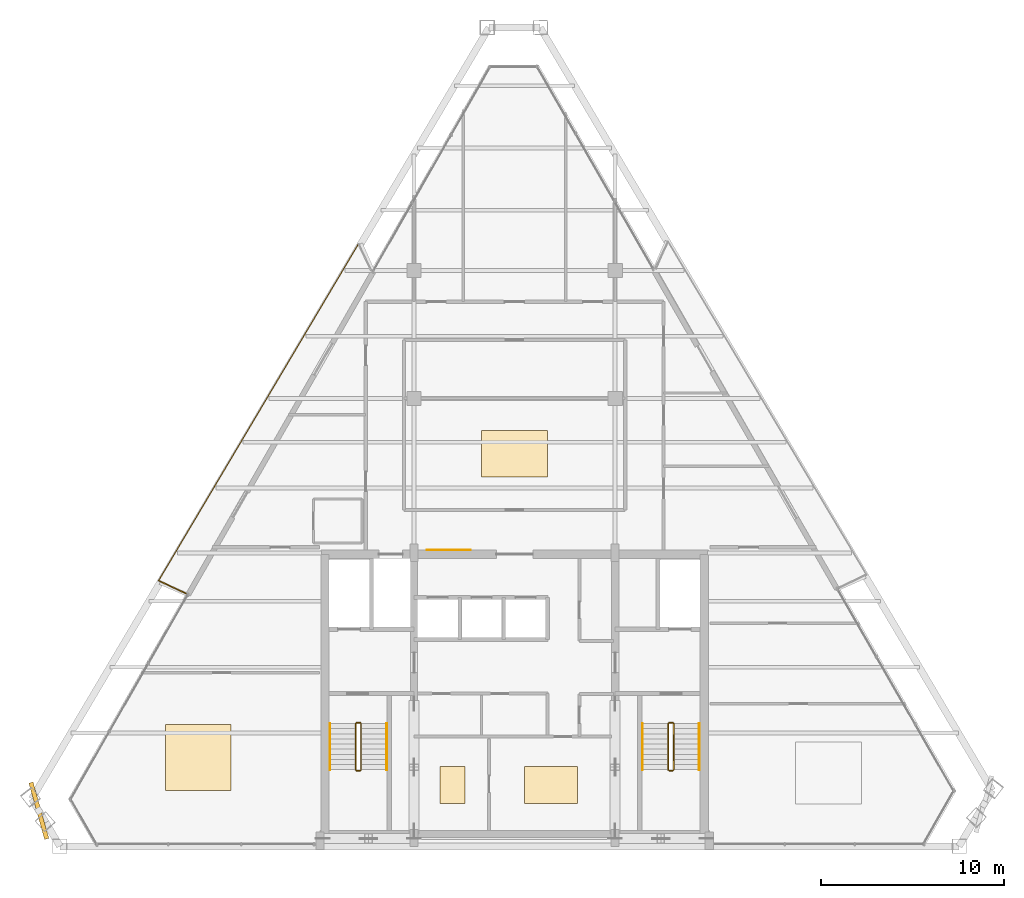
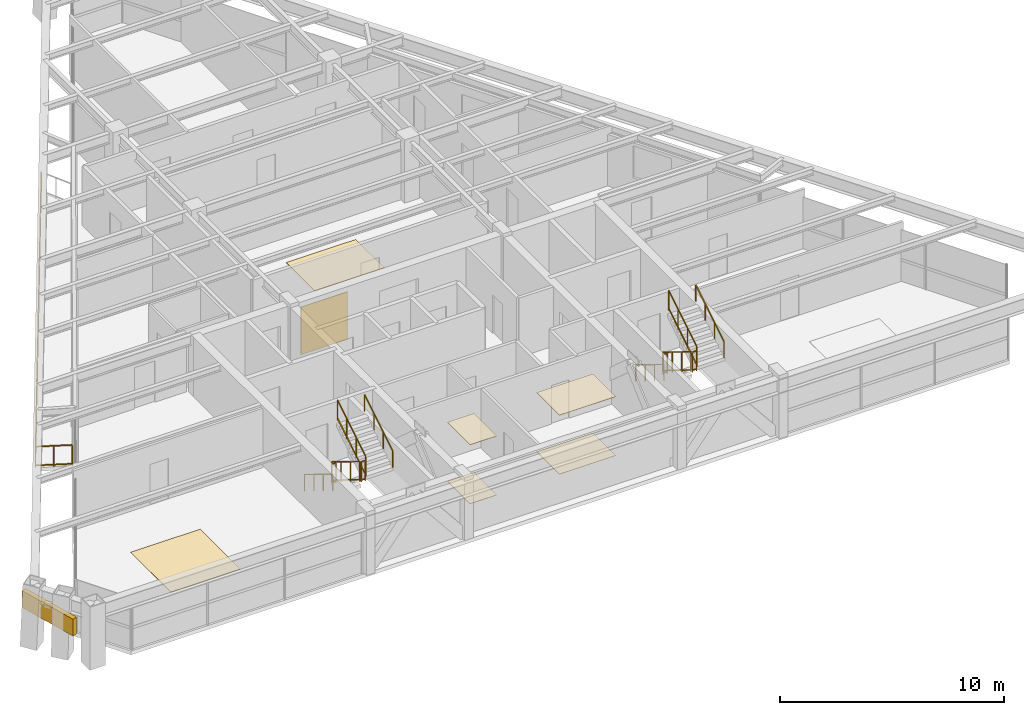
# One storey, part 12 of 13: 14 railings, 7 coverings, 1 shading device.
"""IFC4 building model written with IfcOpenShell, lengths in metres."""

from ifc_helpers import new_model, si_unit, direction, frame, origin, origin_2d, place, context, subcontext, project, spatial, rectangle, extrude, source, transform, mapped, material, layer, layer_set, type_object, type_shapes, element, save


model = new_model("IFC4")

# Units and contexts
model_context = context("Model", 3, precision=1e-05, world=origin(), true_north=direction((0.0, 1.0)))
body_context = subcontext(model_context, "Body", "Model", "MODEL_VIEW")
ifc_project = project(units=[si_unit("LENGTHUNIT", "METRE"), si_unit("AREAUNIT", "SQUARE_METRE"), si_unit("VOLUMEUNIT", "CUBIC_METRE"), si_unit("PLANEANGLEUNIT", "RADIAN"), si_unit("MASSUNIT", "GRAM", prefix="KILO")], contexts=[model_context])

# Site, building, storey
site_placement = place(None, origin())
site = spatial("IfcSite", under=ifc_project, at=site_placement, CompositionType="ELEMENT")
building_placement = place(site_placement, origin())
building = spatial("IfcBuilding", under=site, at=building_placement, Name="Varnakhor Terracotta Tower", CompositionType="ELEMENT")
storey_placement = place(building_placement, frame((0.0, 0.0, 297.14990234375)))
storey = spatial("IfcBuildingStorey", under=building, at=storey_placement, Name="L78", CompositionType="ELEMENT", Elevation=297.14990234375)

# Railings
ifc_material_1 = material(Name="Stainless Steel & Laminated Glass Guardrail", Category="steel")
railing_type_1 = type_object("IfcRailingType", Name="RLG-LOGGIA-GUARD-1150", PredefinedType="GUARDRAIL", material=ifc_material_1)
railing_1_placement = place(storey_placement, frame((-17.978515625, 13.829345703125, 0.0)))
element("IfcRailing", 1, at=railing_1_placement, inside=storey, type_object=railing_type_1, Name="L78 W Loggia Glass Guard 1", PredefinedType="GUARDRAIL", context=body_context, shape_type="SweptSolid", body=[
    extrude(rectangle(XDim=0.048095703125, YDim=0.048095703125, at=origin_2d()), frame((0.0, 0.0, 1.1259765625), z_axis=(-0.903321912516, 0.428963311215, 0.0), x_axis=(-0.428963311215, -0.903321912516, 0.0)), (0.0, 0.0, 1.0), 1.651123046875),
    extrude(rectangle(XDim=0.048095703125, YDim=0.048095703125, at=origin_2d()), frame((0.0, 0.0, 0.10009765625), z_axis=(-0.903321912516, 0.428963311215, 0.0), x_axis=(-0.428963311215, -0.903321912516, 0.0)), (0.0, 0.0, 1.0), 1.651123046875),
    extrude(rectangle(XDim=0.0419921875, YDim=0.0419921875, at=origin_2d()), origin(), (0.0, 0.0, 1.0), 1.101806640625),
    extrude(rectangle(XDim=0.0419921875, YDim=0.0419921875, at=origin_2d()), frame((-0.74560546875, 0.35400390625, 0.0)), (0.0, 0.0, 1.0), 1.101806640625),
    extrude(rectangle(XDim=0.0419921875, YDim=0.0419921875, at=origin_2d()), frame((-1.491455078125, 0.708251953125, 0.0)), (0.0, 0.0, 1.0), 1.101806640625),
])
railing_2_placement = place(storey_placement, frame((-19.469970703125, 14.53759765625, 0.0)))
element("IfcRailing", 2, at=railing_2_placement, inside=storey, type_object=railing_type_1, Name="L78 W Loggia Glass Guard 2", PredefinedType="GUARDRAIL", context=body_context, shape_type="SweptSolid", body=[
    extrude(rectangle(XDim=0.048095703125, YDim=0.048095703125, at=origin_2d()), frame((0.0, 0.0, 1.1259765625), z_axis=(0.510293242021, 0.860000469272, 0.0), x_axis=(-0.860000469272, 0.510293242021, 0.0)), (0.0, 0.0, 1.0), 21.4150390625),
    extrude(rectangle(XDim=0.048095703125, YDim=0.048095703125, at=origin_2d()), frame((0.0, 0.0, 0.10009765625), z_axis=(0.510293242021, 0.860000469272, 0.0), x_axis=(-0.860000469272, 0.510293242021, 0.0)), (0.0, 0.0, 1.0), 21.4150390625),
    extrude(rectangle(XDim=0.0419921875, YDim=0.0419921875, at=origin_2d()), origin(), (0.0, 0.0, 1.0), 1.101806640625),
    extrude(rectangle(XDim=0.0419921875, YDim=0.0419921875, at=origin_2d()), frame((0.68310546875, 1.151123046875, 0.0)), (0.0, 0.0, 1.0), 1.101806640625),
    extrude(rectangle(XDim=0.0419921875, YDim=0.0419921875, at=origin_2d()), frame((1.365966796875, 2.30224609375, 0.0)), (0.0, 0.0, 1.0), 1.101806640625),
    extrude(rectangle(XDim=0.0419921875, YDim=0.0419921875, at=origin_2d()), frame((2.049072265625, 3.453125, 0.0)), (0.0, 0.0, 1.0), 1.101806640625),
    extrude(rectangle(XDim=0.0419921875, YDim=0.0419921875, at=origin_2d()), frame((2.73193359375, 4.604248046875, 0.0)), (0.0, 0.0, 1.0), 1.101806640625),
    extrude(rectangle(XDim=0.0419921875, YDim=0.0419921875, at=origin_2d()), frame((3.4150390625, 5.75537109375, 0.0)), (0.0, 0.0, 1.0), 1.101806640625),
    extrude(rectangle(XDim=0.0419921875, YDim=0.0419921875, at=origin_2d()), frame((4.097900390625, 6.90625, 0.0)), (0.0, 0.0, 1.0), 1.101806640625),
    extrude(rectangle(XDim=0.0419921875, YDim=0.0419921875, at=origin_2d()), frame((4.781005859375, 8.057373046875, 0.0)), (0.0, 0.0, 1.0), 1.101806640625),
    extrude(rectangle(XDim=0.0419921875, YDim=0.0419921875, at=origin_2d()), frame((5.4638671875, 9.20849609375, 0.0)), (0.0, 0.0, 1.0), 1.101806640625),
    extrude(rectangle(XDim=0.0419921875, YDim=0.0419921875, at=origin_2d()), frame((6.14697265625, 10.359619140625, 0.0)), (0.0, 0.0, 1.0), 1.101806640625),
    extrude(rectangle(XDim=0.0419921875, YDim=0.0419921875, at=origin_2d()), frame((6.830078125, 11.5107421875, 0.0)), (0.0, 0.0, 1.0), 1.101806640625),
    extrude(rectangle(XDim=0.0419921875, YDim=0.0419921875, at=origin_2d()), frame((7.512939453125, 12.66162109375, 0.0)), (0.0, 0.0, 1.0), 1.101806640625),
    extrude(rectangle(XDim=0.0419921875, YDim=0.0419921875, at=origin_2d()), frame((8.196044921875, 13.812744140625, 0.0)), (0.0, 0.0, 1.0), 1.101806640625),
    extrude(rectangle(XDim=0.0419921875, YDim=0.0419921875, at=origin_2d()), frame((8.87890625, 14.9638671875, 0.0)), (0.0, 0.0, 1.0), 1.101806640625),
    extrude(rectangle(XDim=0.0419921875, YDim=0.0419921875, at=origin_2d()), frame((9.56201171875, 16.11474609375, 0.0)), (0.0, 0.0, 1.0), 1.101806640625),
    extrude(rectangle(XDim=0.0419921875, YDim=0.0419921875, at=origin_2d()), frame((10.244873046875, 17.265869140625, 0.0)), (0.0, 0.0, 1.0), 1.101806640625),
    extrude(rectangle(XDim=0.0419921875, YDim=0.0419921875, at=origin_2d()), frame((10.927978515625, 18.4169921875, 0.0)), (0.0, 0.0, 1.0), 1.101806640625),
])
ifc_material_2 = material(Name="Painted Steel Stairwell Guardrail", Category="steel")
railing_type_2 = type_object("IfcRailingType", Name="RLG-STAIR-GUARD-1120", PredefinedType="GUARDRAIL", material=ifc_material_2)
railing_3_placement = place(storey_placement, frame((-8.699951171875, 6.7099609375, 0.172607421875)))
element("IfcRailing", 3, at=railing_3_placement, inside=storey, type_object=railing_type_2, Name="L78 ST-1 stair guard 1", PredefinedType="GUARDRAIL", context=body_context, shape_type="SweptSolid", body=[
    extrude(rectangle(XDim=0.048095703125, YDim=0.048095703125, at=origin_2d()), frame((0.0, 0.0, 1.09619140625), z_axis=(0.0, -0.851400495292, 0.524516154772), x_axis=(1.0, 0.0, 0.0)), (0.0, 0.0, 1.0), 2.9599609375),
    extrude(rectangle(XDim=0.048095703125, YDim=0.048095703125, at=origin_2d()), frame((0.0, 0.0, 0.10009765625), z_axis=(0.0, -0.851400495292, 0.524516154772), x_axis=(1.0, 0.0, 0.0)), (0.0, 0.0, 1.0), 2.9599609375),
    extrude(rectangle(XDim=0.0419921875, YDim=0.0419921875, at=origin_2d()), origin(), (0.0, 0.0, 1.0), 1.072021484375),
    extrude(rectangle(XDim=0.0419921875, YDim=0.0419921875, at=origin_2d()), frame((0.0, -0.840087890625, 0.517578125)), (0.0, 0.0, 1.0), 1.072021484375),
    extrude(rectangle(XDim=0.0419921875, YDim=0.0419921875, at=origin_2d()), frame((0.0, -1.679931640625, 1.034912109375)), (0.0, 0.0, 1.0), 1.072021484375),
    extrude(rectangle(XDim=0.0419921875, YDim=0.0419921875, at=origin_2d()), frame((0.0, -2.52001953125, 1.552490234375)), (0.0, 0.0, 1.0), 1.072021484375),
])
railing_4_placement = place(storey_placement, frame((-8.64990234375, 4.139892578125, 1.72509765625)))
element("IfcRailing", 4, at=railing_4_placement, inside=storey, type_object=railing_type_2, Name="L78 ST-1 stair guard 2", PredefinedType="GUARDRAIL", context=body_context, shape_type="SweptSolid", body=[
    extrude(rectangle(XDim=0.048095703125, YDim=0.048095703125, at=origin_2d()), frame((0.0, 0.0, 1.09619140625), z_axis=(1.0, 0.0, 0.0), x_axis=(0.0, 1.0, 0.0)), (0.0, 0.0, 1.0), 0.199951171875),
    extrude(rectangle(XDim=0.048095703125, YDim=0.048095703125, at=origin_2d()), frame((0.0, 0.0, 0.10009765625), z_axis=(1.0, 0.0, 0.0), x_axis=(0.0, 1.0, 0.0)), (0.0, 0.0, 1.0), 0.199951171875),
    extrude(rectangle(XDim=0.0419921875, YDim=0.0419921875, at=origin_2d()), origin(), (0.0, 0.0, 1.0), 1.072021484375),
    extrude(rectangle(XDim=0.0419921875, YDim=0.0419921875, at=origin_2d()), frame((0.199951171875, 0.0, 0.0)), (0.0, 0.0, 1.0), 1.072021484375),
])
railing_5_placement = place(storey_placement, frame((-8.39990234375, 4.18994140625, 1.897705078125)))
element("IfcRailing", 5, at=railing_5_placement, inside=storey, type_object=railing_type_2, Name="L78 ST-1 stair guard 3", PredefinedType="GUARDRAIL", context=body_context, shape_type="SweptSolid", body=[
    extrude(rectangle(XDim=0.048095703125, YDim=0.048095703125, at=origin_2d()), frame((0.0, 0.0, 1.09619140625), z_axis=(0.0, 0.851400495292, 0.524516154772), x_axis=(-1.0, 0.0, 0.0)), (0.0, 0.0, 1.0), 2.9599609375),
    extrude(rectangle(XDim=0.048095703125, YDim=0.048095703125, at=origin_2d()), frame((0.0, 0.0, 0.10009765625), z_axis=(0.0, 0.851400495292, 0.524516154772), x_axis=(-1.0, 0.0, 0.0)), (0.0, 0.0, 1.0), 2.9599609375),
    extrude(rectangle(XDim=0.0419921875, YDim=0.0419921875, at=origin_2d()), origin(), (0.0, 0.0, 1.0), 1.072021484375),
    extrude(rectangle(XDim=0.0419921875, YDim=0.0419921875, at=origin_2d()), frame((0.0, 0.840087890625, 0.517578125)), (0.0, 0.0, 1.0), 1.072021484375),
    extrude(rectangle(XDim=0.0419921875, YDim=0.0419921875, at=origin_2d()), frame((0.0, 1.679931640625, 1.034912109375)), (0.0, 0.0, 1.0), 1.072021484375),
    extrude(rectangle(XDim=0.0419921875, YDim=0.0419921875, at=origin_2d()), frame((0.0, 2.52001953125, 1.552490234375)), (0.0, 0.0, 1.0), 1.072021484375),
])
railing_6_placement = place(storey_placement, frame((-8.64990234375, 6.760009765625, 0.0)))
element("IfcRailing", 6, at=railing_6_placement, inside=storey, type_object=railing_type_2, Name="L78 ST-1 stair guard 4", PredefinedType="GUARDRAIL", context=body_context, shape_type="SweptSolid", body=[
    extrude(rectangle(XDim=0.048095703125, YDim=0.048095703125, at=origin_2d()), frame((0.0, 0.0, 1.09619140625), z_axis=(1.0, 0.0, 0.0), x_axis=(0.0, 1.0, 0.0)), (0.0, 0.0, 1.0), 0.199951171875),
    extrude(rectangle(XDim=0.048095703125, YDim=0.048095703125, at=origin_2d()), frame((0.0, 0.0, 0.10009765625), z_axis=(1.0, 0.0, 0.0), x_axis=(0.0, 1.0, 0.0)), (0.0, 0.0, 1.0), 0.199951171875),
    extrude(rectangle(XDim=0.0419921875, YDim=0.0419921875, at=origin_2d()), origin(), (0.0, 0.0, 1.0), 1.072021484375),
    extrude(rectangle(XDim=0.0419921875, YDim=0.0419921875, at=origin_2d()), frame((0.199951171875, 0.0, 0.0)), (0.0, 0.0, 1.0), 1.072021484375),
])
railing_7_placement = place(storey_placement, frame((8.39990234375, 6.7099609375, 0.172607421875)))
element("IfcRailing", 7, at=railing_7_placement, inside=storey, type_object=railing_type_2, Name="L78 ST-2 stair guard 1", PredefinedType="GUARDRAIL", context=body_context, shape_type="SweptSolid", body=[
    extrude(rectangle(XDim=0.048095703125, YDim=0.048095703125, at=origin_2d()), frame((0.0, 0.0, 1.09619140625), z_axis=(0.0, -0.851400495292, 0.524516154772), x_axis=(1.0, 0.0, 0.0)), (0.0, 0.0, 1.0), 2.9599609375),
    extrude(rectangle(XDim=0.048095703125, YDim=0.048095703125, at=origin_2d()), frame((0.0, 0.0, 0.10009765625), z_axis=(0.0, -0.851400495292, 0.524516154772), x_axis=(1.0, 0.0, 0.0)), (0.0, 0.0, 1.0), 2.9599609375),
    extrude(rectangle(XDim=0.0419921875, YDim=0.0419921875, at=origin_2d()), origin(), (0.0, 0.0, 1.0), 1.072021484375),
    extrude(rectangle(XDim=0.0419921875, YDim=0.0419921875, at=origin_2d()), frame((0.0, -0.840087890625, 0.517578125)), (0.0, 0.0, 1.0), 1.072021484375),
    extrude(rectangle(XDim=0.0419921875, YDim=0.0419921875, at=origin_2d()), frame((0.0, -1.679931640625, 1.034912109375)), (0.0, 0.0, 1.0), 1.072021484375),
    extrude(rectangle(XDim=0.0419921875, YDim=0.0419921875, at=origin_2d()), frame((0.0, -2.52001953125, 1.552490234375)), (0.0, 0.0, 1.0), 1.072021484375),
])
railing_8_placement = place(storey_placement, frame((8.449951171875, 4.139892578125, 1.72509765625)))
element("IfcRailing", 8, at=railing_8_placement, inside=storey, type_object=railing_type_2, Name="L78 ST-2 stair guard 2", PredefinedType="GUARDRAIL", context=body_context, shape_type="SweptSolid", body=[
    extrude(rectangle(XDim=0.048095703125, YDim=0.048095703125, at=origin_2d()), frame((0.0, 0.0, 1.09619140625), z_axis=(1.0, 0.0, 0.0), x_axis=(0.0, 1.0, 0.0)), (0.0, 0.0, 1.0), 0.199951171875),
    extrude(rectangle(XDim=0.048095703125, YDim=0.048095703125, at=origin_2d()), frame((0.0, 0.0, 0.10009765625), z_axis=(1.0, 0.0, 0.0), x_axis=(0.0, 1.0, 0.0)), (0.0, 0.0, 1.0), 0.199951171875),
    extrude(rectangle(XDim=0.0419921875, YDim=0.0419921875, at=origin_2d()), origin(), (0.0, 0.0, 1.0), 1.072021484375),
    extrude(rectangle(XDim=0.0419921875, YDim=0.0419921875, at=origin_2d()), frame((0.199951171875, 0.0, 0.0)), (0.0, 0.0, 1.0), 1.072021484375),
])
railing_9_placement = place(storey_placement, frame((8.699951171875, 4.18994140625, 1.897705078125)))
element("IfcRailing", 9, at=railing_9_placement, inside=storey, type_object=railing_type_2, Name="L78 ST-2 stair guard 3", PredefinedType="GUARDRAIL", context=body_context, shape_type="SweptSolid", body=[
    extrude(rectangle(XDim=0.048095703125, YDim=0.048095703125, at=origin_2d()), frame((0.0, 0.0, 1.09619140625), z_axis=(0.0, 0.851400495292, 0.524516154772), x_axis=(-1.0, 0.0, 0.0)), (0.0, 0.0, 1.0), 2.9599609375),
    extrude(rectangle(XDim=0.048095703125, YDim=0.048095703125, at=origin_2d()), frame((0.0, 0.0, 0.10009765625), z_axis=(0.0, 0.851400495292, 0.524516154772), x_axis=(-1.0, 0.0, 0.0)), (0.0, 0.0, 1.0), 2.9599609375),
    extrude(rectangle(XDim=0.0419921875, YDim=0.0419921875, at=origin_2d()), origin(), (0.0, 0.0, 1.0), 1.072021484375),
    extrude(rectangle(XDim=0.0419921875, YDim=0.0419921875, at=origin_2d()), frame((0.0, 0.840087890625, 0.517578125)), (0.0, 0.0, 1.0), 1.072021484375),
    extrude(rectangle(XDim=0.0419921875, YDim=0.0419921875, at=origin_2d()), frame((0.0, 1.679931640625, 1.034912109375)), (0.0, 0.0, 1.0), 1.072021484375),
    extrude(rectangle(XDim=0.0419921875, YDim=0.0419921875, at=origin_2d()), frame((0.0, 2.52001953125, 1.552490234375)), (0.0, 0.0, 1.0), 1.072021484375),
])
railing_10_placement = place(storey_placement, frame((8.449951171875, 6.760009765625, 0.0)))
element("IfcRailing", 10, at=railing_10_placement, inside=storey, type_object=railing_type_2, Name="L78 ST-2 stair guard 4", PredefinedType="GUARDRAIL", context=body_context, shape_type="SweptSolid", body=[
    extrude(rectangle(XDim=0.048095703125, YDim=0.048095703125, at=origin_2d()), frame((0.0, 0.0, 1.09619140625), z_axis=(1.0, 0.0, 0.0), x_axis=(0.0, 1.0, 0.0)), (0.0, 0.0, 1.0), 0.199951171875),
    extrude(rectangle(XDim=0.048095703125, YDim=0.048095703125, at=origin_2d()), frame((0.0, 0.0, 0.10009765625), z_axis=(1.0, 0.0, 0.0), x_axis=(0.0, 1.0, 0.0)), (0.0, 0.0, 1.0), 0.199951171875),
    extrude(rectangle(XDim=0.0419921875, YDim=0.0419921875, at=origin_2d()), origin(), (0.0, 0.0, 1.0), 1.072021484375),
    extrude(rectangle(XDim=0.0419921875, YDim=0.0419921875, at=origin_2d()), frame((0.199951171875, 0.0, 0.0)), (0.0, 0.0, 1.0), 1.072021484375),
])
ifc_material_3 = material(Name="Brushed Stainless Steel Handrail", Category="steel")
railing_type_3 = type_object("IfcRailingType", Name="RLG-STAIR-HANDRAIL-920", PredefinedType="HANDRAIL", material=ifc_material_3)
railing_11_placement = place(storey_placement, frame((-10.10009765625, 6.7099609375, 0.172607421875)))
element("IfcRailing", 11, at=railing_11_placement, inside=storey, type_object=railing_type_3, Name="L78 ST-1 stair handrail 1", PredefinedType="HANDRAIL", context=body_context, shape_type="SweptSolid", body=[
    extrude(rectangle(XDim=0.048095703125, YDim=0.048095703125, at=origin_2d()), frame((0.0, 0.0, 0.89599609375), z_axis=(0.0, -0.851400495292, 0.524516154772), x_axis=(1.0, 0.0, 0.0)), (0.0, 0.0, 1.0), 2.9599609375),
    extrude(rectangle(XDim=0.0419921875, YDim=0.0419921875, at=origin_2d()), origin(), (0.0, 0.0, 1.0), 0.871826171875),
    extrude(rectangle(XDim=0.0419921875, YDim=0.0419921875, at=origin_2d()), frame((0.0, -0.840087890625, 0.517578125)), (0.0, 0.0, 1.0), 0.871826171875),
    extrude(rectangle(XDim=0.0419921875, YDim=0.0419921875, at=origin_2d()), frame((0.0, -1.679931640625, 1.034912109375)), (0.0, 0.0, 1.0), 0.871826171875),
    extrude(rectangle(XDim=0.0419921875, YDim=0.0419921875, at=origin_2d()), frame((0.0, -2.52001953125, 1.552490234375)), (0.0, 0.0, 1.0), 0.871826171875),
])
railing_12_placement = place(storey_placement, frame((-7.0, 4.18994140625, 1.897705078125)))
element("IfcRailing", 12, at=railing_12_placement, inside=storey, type_object=railing_type_3, Name="L78 ST-1 stair handrail 2", PredefinedType="HANDRAIL", context=body_context, shape_type="SweptSolid", body=[
    extrude(rectangle(XDim=0.048095703125, YDim=0.048095703125, at=origin_2d()), frame((0.0, 0.0, 0.89599609375), z_axis=(0.0, 0.851400495292, 0.524516154772), x_axis=(-1.0, 0.0, 0.0)), (0.0, 0.0, 1.0), 2.9599609375),
    extrude(rectangle(XDim=0.0419921875, YDim=0.0419921875, at=origin_2d()), origin(), (0.0, 0.0, 1.0), 0.871826171875),
    extrude(rectangle(XDim=0.0419921875, YDim=0.0419921875, at=origin_2d()), frame((0.0, 0.840087890625, 0.517578125)), (0.0, 0.0, 1.0), 0.871826171875),
    extrude(rectangle(XDim=0.0419921875, YDim=0.0419921875, at=origin_2d()), frame((0.0, 1.679931640625, 1.034912109375)), (0.0, 0.0, 1.0), 0.871826171875),
    extrude(rectangle(XDim=0.0419921875, YDim=0.0419921875, at=origin_2d()), frame((0.0, 2.52001953125, 1.552490234375)), (0.0, 0.0, 1.0), 0.871826171875),
])
railing_13_placement = place(storey_placement, frame((7.0, 6.7099609375, 0.172607421875)))
element("IfcRailing", 13, at=railing_13_placement, inside=storey, type_object=railing_type_3, Name="L78 ST-2 stair handrail 1", PredefinedType="HANDRAIL", context=body_context, shape_type="SweptSolid", body=[
    extrude(rectangle(XDim=0.048095703125, YDim=0.048095703125, at=origin_2d()), frame((0.0, 0.0, 0.89599609375), z_axis=(0.0, -0.851400495292, 0.524516154772), x_axis=(1.0, 0.0, 0.0)), (0.0, 0.0, 1.0), 2.9599609375),
    extrude(rectangle(XDim=0.0419921875, YDim=0.0419921875, at=origin_2d()), origin(), (0.0, 0.0, 1.0), 0.871826171875),
    extrude(rectangle(XDim=0.0419921875, YDim=0.0419921875, at=origin_2d()), frame((0.0, -0.840087890625, 0.517578125)), (0.0, 0.0, 1.0), 0.871826171875),
    extrude(rectangle(XDim=0.0419921875, YDim=0.0419921875, at=origin_2d()), frame((0.0, -1.679931640625, 1.034912109375)), (0.0, 0.0, 1.0), 0.871826171875),
    extrude(rectangle(XDim=0.0419921875, YDim=0.0419921875, at=origin_2d()), frame((0.0, -2.52001953125, 1.552490234375)), (0.0, 0.0, 1.0), 0.871826171875),
])
railing_14_placement = place(storey_placement, frame((10.10009765625, 4.18994140625, 1.897705078125)))
element("IfcRailing", 14, at=railing_14_placement, inside=storey, type_object=railing_type_3, Name="L78 ST-2 stair handrail 2", PredefinedType="HANDRAIL", context=body_context, shape_type="SweptSolid", body=[
    extrude(rectangle(XDim=0.048095703125, YDim=0.048095703125, at=origin_2d()), frame((0.0, 0.0, 0.89599609375), z_axis=(0.0, 0.851400495292, 0.524516154772), x_axis=(-1.0, 0.0, 0.0)), (0.0, 0.0, 1.0), 2.9599609375),
    extrude(rectangle(XDim=0.0419921875, YDim=0.0419921875, at=origin_2d()), origin(), (0.0, 0.0, 1.0), 0.871826171875),
    extrude(rectangle(XDim=0.0419921875, YDim=0.0419921875, at=origin_2d()), frame((0.0, 0.840087890625, 0.517578125)), (0.0, 0.0, 1.0), 0.871826171875),
    extrude(rectangle(XDim=0.0419921875, YDim=0.0419921875, at=origin_2d()), frame((0.0, 1.679931640625, 1.034912109375)), (0.0, 0.0, 1.0), 0.871826171875),
    extrude(rectangle(XDim=0.0419921875, YDim=0.0419921875, at=origin_2d()), frame((0.0, 2.52001953125, 1.552490234375)), (0.0, 0.0, 1.0), 0.871826171875),
])

# Shading device
ifc_material_4 = material(Name="Extruded Architectural Terracotta Screen", Category="masonry")
shading_device_type = type_object("IfcShadingDeviceType", Name="TERRACOTTA SOLAR SCREEN W", PredefinedType="USERDEFINED", material=ifc_material_4)
shared_shape_1 = source(origin(), body_context, "Body", "SweptSolid", [
    extrude(rectangle(XDim=3.199951171875, YDim=0.239990234375, at=origin_2d()), origin(), (0.0, 0.0, 1.0), 0.919921875),
])
type_shapes(shading_device_type, [shared_shape_1])
shading_device_placement = place(storey_placement, frame((-26.0283203125, 1.94482421875, 1.562255859375), z_axis=(0.0, 0.0, 1.0), x_axis=(0.269911488986, -0.962885137549, 0.0)))
element("IfcShadingDevice", 15, at=shading_device_placement, inside=storey, type_object=shading_device_type, Name="L78 W Terracotta Solar Screen", ObjectType="SCREEN", PredefinedType="USERDEFINED", context=body_context, shape_type="MappedRepresentation", body=[
    mapped(shared_shape_1, transform((0.0, 0.0, 0.0), scale=1.0)),
])

# Coverings
ifc_material_5 = material(Name="Extruded Architectural Terracotta Cladding", Category="masonry")
ifc_layer_1 = layer(ifc_material_5, 0.044921875, Name="Extruded Architectural Terracotta Cladding")
ifc_layer_set_1 = layer_set([ifc_layer_1], Name="Extruded Architectural Terracotta Cladding")
covering_type_1 = type_object("IfcCoveringType", Name="COV-CLAD-TERRACOTTA", PredefinedType="CLADDING", material=ifc_layer_set_1)
shared_shape_2 = source(origin(), body_context, "Body", "SweptSolid", [
    extrude(rectangle(XDim=2.39990234375, YDim=0.030029296875, at=origin_2d()), origin(), (0.0, 0.0, 1.0), 2.60009765625),
])
type_shapes(covering_type_1, [shared_shape_2])
covering_1_placement = place(storey_placement, frame((-3.60009765625, 16.2119140625, 0.0), z_axis=(0.0, 0.0, 1.0), x_axis=(1.0, 0.0, 0.0)))
element("IfcCovering", 16, at=covering_1_placement, inside=storey, type_object=covering_type_1, Name="L78 Core Lobby Limestone Cladding", PredefinedType="CLADDING", context=body_context, shape_type="MappedRepresentation", body=[
    mapped(shared_shape_2, transform((0.0, 0.0, 0.0), scale=1.0)),
])
ifc_material_6 = material(Name="Honed Riyadh Limestone Flooring", Category="masonry")
ifc_layer_2 = layer(ifc_material_6, 0.030029296875, Name="Honed Riyadh Limestone Flooring")
ifc_layer_set_2 = layer_set([ifc_layer_2], Name="Honed Riyadh Limestone Flooring")
covering_type_2 = type_object("IfcCoveringType", Name="COV-FLOOR-LIMESTONE", PredefinedType="FLOORING", material=ifc_layer_set_2)
shared_shape_3 = source(origin(), body_context, "Body", "SweptSolid", [
    extrude(rectangle(XDim=3.60009765625, YDim=3.60009765625, at=origin_2d()), origin(), (0.0, 0.0, 1.0), 0.02001953125),
])
covering_2_placement = place(storey_placement, frame((-17.31103515625, 4.85400390625, 0.0), z_axis=(0.0, 0.0, 1.0), x_axis=(1.0, 0.0, 0.0)))
element("IfcCovering", 17, at=covering_2_placement, inside=storey, type_object=covering_type_2, Name="L78 Honed Stone Flooring 4", PredefinedType="FLOORING", context=body_context, shape_type="MappedRepresentation", body=[
    mapped(shared_shape_3, transform((0.0, 0.0, 0.0), scale=1.0)),
])
shared_shape_4 = source(origin(), body_context, "Body", "SweptSolid", [
    extrude(rectangle(XDim=1.375, YDim=2.041015625, at=origin_2d()), origin(), (0.0, 0.0, 1.0), 0.02001953125),
])
covering_3_placement = place(storey_placement, frame((-3.389892578125, 3.35498046875, 0.0), z_axis=(0.0, 0.0, 1.0), x_axis=(1.0, 0.0, 0.0)))
element("IfcCovering", 18, at=covering_3_placement, inside=storey, type_object=covering_type_2, Name="L78 Honed Stone Flooring 1", PredefinedType="FLOORING", context=body_context, shape_type="MappedRepresentation", body=[
    mapped(shared_shape_4, transform((0.0, 0.0, 0.0), scale=1.0)),
])
ifc_material_7 = material(Name="Perforated Acoustic Mineral-Fibre Ceiling", Category="gypsum")
ifc_layer_3 = layer(ifc_material_7, 0.02490234375, Name="Perforated Acoustic Mineral-Fibre Ceiling")
ifc_layer_set_3 = layer_set([ifc_layer_3], Name="Perforated Acoustic Mineral-Fibre Ceiling")
covering_type_3 = type_object("IfcCoveringType", Name="COV-CEILING-ACOUSTIC", PredefinedType="CEILING", material=ifc_layer_set_3)
shared_shape_5 = source(origin(), body_context, "Body", "SweptSolid", [
    extrude(rectangle(XDim=1.375, YDim=2.041015625, at=origin_2d()), origin(), (0.0, 0.0, 1.0), 0.02392578125),
])
covering_4_placement = place(storey_placement, frame((-3.389892578125, 3.35498046875, 3.216064453125), z_axis=(0.0, 0.0, 1.0), x_axis=(1.0, 0.0, 0.0)))
element("IfcCovering", 19, at=covering_4_placement, inside=storey, type_object=covering_type_3, Name="L78 Acoustic Ceiling Panel 1", PredefinedType="CEILING", context=body_context, shape_type="MappedRepresentation", body=[
    mapped(shared_shape_5, transform((0.0, 0.0, 0.0), scale=1.0)),
])
shared_shape_6 = source(origin(), body_context, "Body", "SweptSolid", [
    extrude(rectangle(XDim=2.9150390625, YDim=2.041015625, at=origin_2d()), origin(), (0.0, 0.0, 1.0), 0.02001953125),
])
covering_5_placement = place(storey_placement, frame((1.989990234375, 3.35498046875, 0.0), z_axis=(0.0, 0.0, 1.0), x_axis=(1.0, 0.0, 0.0)))
element("IfcCovering", 20, at=covering_5_placement, inside=storey, type_object=covering_type_2, Name="L78 Honed Stone Flooring 2", PredefinedType="FLOORING", context=body_context, shape_type="MappedRepresentation", body=[
    mapped(shared_shape_6, transform((0.0, 0.0, 0.0), scale=1.0)),
])
shared_shape_7 = source(origin(), body_context, "Body", "SweptSolid", [
    extrude(rectangle(XDim=2.9150390625, YDim=2.041015625, at=origin_2d()), origin(), (0.0, 0.0, 1.0), 0.02392578125),
])
covering_6_placement = place(storey_placement, frame((1.989990234375, 3.35498046875, 3.216064453125), z_axis=(0.0, 0.0, 1.0), x_axis=(1.0, 0.0, 0.0)))
element("IfcCovering", 21, at=covering_6_placement, inside=storey, type_object=covering_type_3, Name="L78 Acoustic Ceiling Panel 2", PredefinedType="CEILING", context=body_context, shape_type="MappedRepresentation", body=[
    mapped(shared_shape_7, transform((0.0, 0.0, 0.0), scale=1.0)),
])
shared_shape_8 = source(origin(), body_context, "Body", "SweptSolid", [
    extrude(rectangle(XDim=3.60009765625, YDim=2.5439453125, at=origin_2d()), origin(), (0.0, 0.0, 1.0), 0.02001953125),
])
covering_7_placement = place(storey_placement, frame((0.0, 21.4609375, 0.0), z_axis=(0.0, 0.0, 1.0), x_axis=(1.0, 0.0, 0.0)))
element("IfcCovering", 22, at=covering_7_placement, inside=storey, type_object=covering_type_2, Name="L78 Honed Stone Flooring 5", PredefinedType="FLOORING", context=body_context, shape_type="MappedRepresentation", body=[
    mapped(shared_shape_8, transform((0.0, 0.0, 0.0), scale=1.0)),
])

save(model, "model.ifc")
